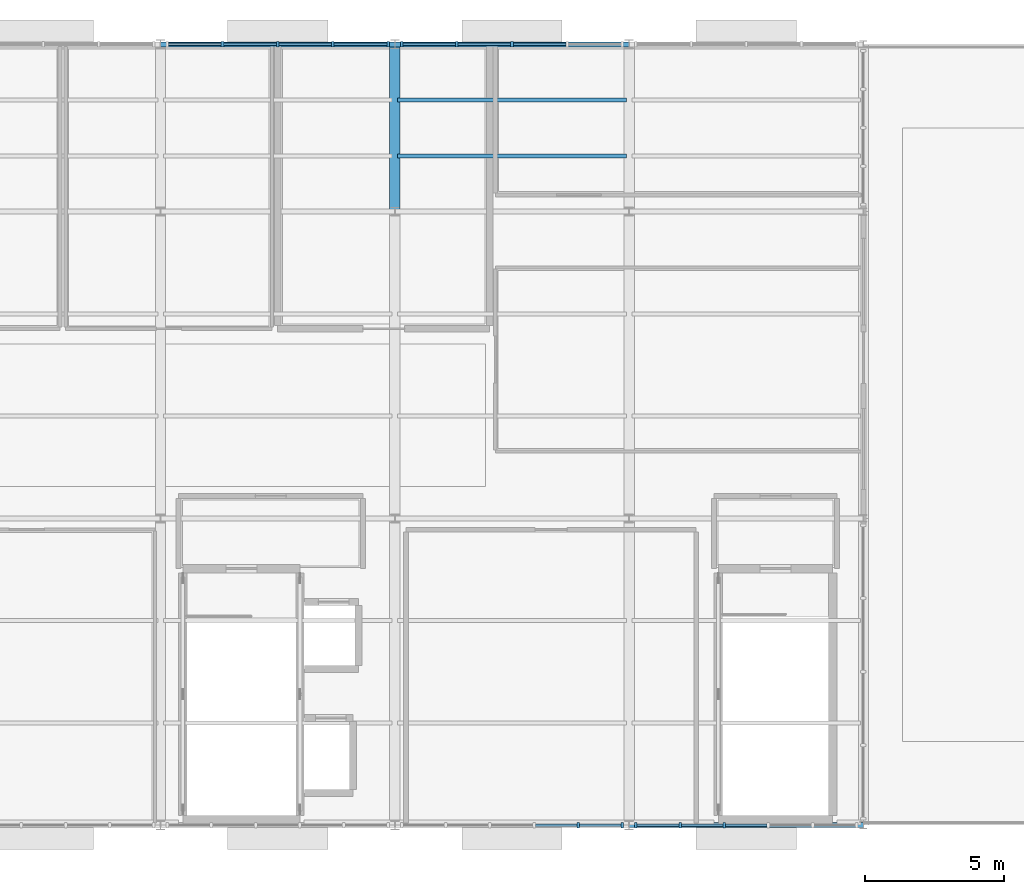
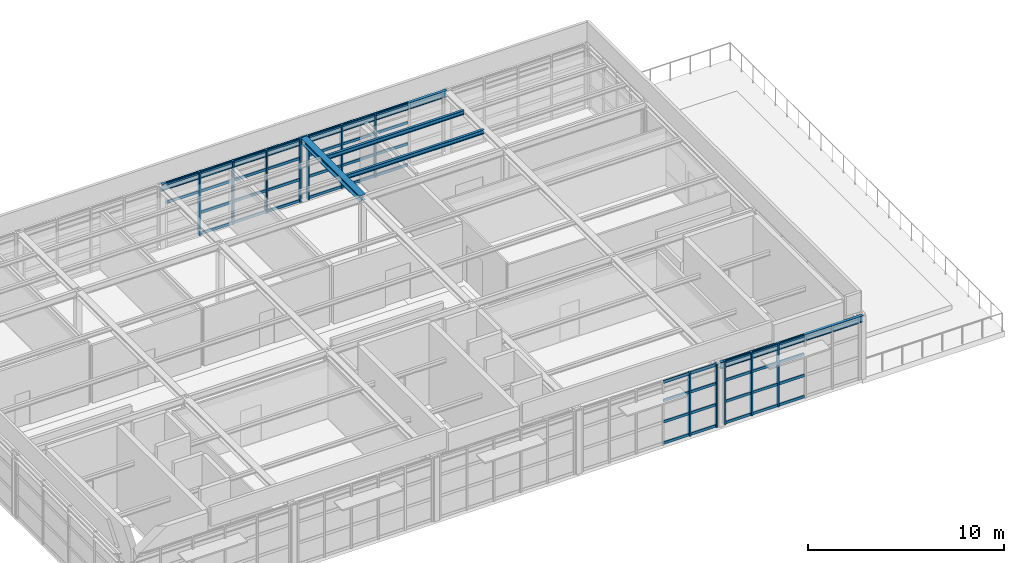
# One storey, part 8 of 18: 58 members, 6 beams, 4 elements without a shape of their own.
"""IFC4 building model written with IfcOpenShell, lengths in metres."""

from ifc_helpers import new_model, si_unit, direction, frame, origin, origin_2d, place, context, subcontext, project, spatial, rectangle, i_section, extrude, material, layer, layer_set, material_profile, profile_set, type_object, element, aggregate, save


model = new_model("IFC4")

# Units and contexts
model_context = context("Model", 3, precision=1e-05, world=origin(), true_north=direction((0.0, 1.0)))
body_context = subcontext(model_context, "Body", "Model", "MODEL_VIEW")
ifc_project = project(units=[si_unit("LENGTHUNIT", "METRE"), si_unit("AREAUNIT", "SQUARE_METRE"), si_unit("VOLUMEUNIT", "CUBIC_METRE"), si_unit("PLANEANGLEUNIT", "RADIAN"), si_unit("MASSUNIT", "GRAM", prefix="KILO")], contexts=[model_context])

# Site, building, storey
site_placement = place(None, origin())
site = spatial("IfcSite", under=ifc_project, at=site_placement, CompositionType="ELEMENT")
building_placement = place(site_placement, origin())
building = spatial("IfcBuilding", under=site, at=building_placement, Name="Sitalva Quay Ferry Terminal", CompositionType="ELEMENT")
storey_placement = place(building_placement, frame((0.0, 0.0, 18.60009765625)))
storey = spatial("IfcBuildingStorey", under=building, at=storey_placement, Name="L05", CompositionType="ELEMENT", Elevation=18.60009765625)

# Beams
ifc_material_1 = material(Name="Structural Steel S355JR", Category="steel")
ifc_material_profile_1 = material_profile(ifc_material_1, i_section(OverallWidth=0.368896484375, OverallDepth=0.35595703125, WebThickness=0.01123046875, FlangeThickness=0.01806640625, FilletRadius=0.014892578125, at=origin_2d()), Name="W360x134")
ifc_profile_set_1 = profile_set([ifc_material_profile_1], Name="Structural Steel S355JR")
beam_type_1 = type_object("IfcBeamType", Name="Beam_W360x134", PredefinedType="BEAM", material=ifc_profile_set_1)
beam_1_placement = place(storey_placement, frame((100.800048828125, 100.0, 3.781982421875), z_axis=(0.0, 1.0, 0.0), x_axis=(-1.0, 0.0, 0.0)))
element("IfcBeam", 1, at=beam_1_placement, inside=storey, type_object=beam_type_1, Name="L05 Primary Y girder 1431", PredefinedType="BEAM", context=body_context, shape_type="SweptSolid", body=[
    extrude(i_section(OverallWidth=0.368896484375, OverallDepth=0.35595703125, WebThickness=0.01123046875, FlangeThickness=0.01806640625, FilletRadius=0.014892578125, at=origin_2d()), origin(), (0.0, 0.0, 1.0), 6.0),
])
ifc_material_2 = material(Name="Structural Steel S355JR", Category="steel")
ifc_material_profile_2 = material_profile(ifc_material_2, i_section(OverallWidth=0.178955078125, OverallDepth=0.409912109375, WebThickness=0.0087890625, FlangeThickness=0.014404296875, FilletRadius=0.012939453125, at=origin_2d()), Name="W410x67")
ifc_profile_set_2 = profile_set([ifc_material_profile_2], Name="Structural Steel S355JR")
beam_type_2 = type_object("IfcBeamType", Name="Beam_W410x67", PredefinedType="BEAM", material=ifc_profile_set_2)
for number, where, z_axis, x_axis, name in (
    (2, (109.199951171875, 78.0, 3.7548828125), (1.0, 0.0, 0.0), (0.0, 1.0, 0.0), "L05 Primary X girder 1404"),
    (3, (92.39990234375, 106.0, 3.7548828125), (1.0, 0.0, 0.0), (0.0, 1.0, 0.0), "L05 Primary X girder 1417"),
):
    element("IfcBeam", number, at=place(storey_placement, frame(where, z_axis=z_axis, x_axis=x_axis)), inside=storey, type_object=beam_type_2, Name=name, PredefinedType="BEAM", context=body_context, shape_type="SweptSolid", body=[
        extrude(i_section(OverallWidth=0.178955078125, OverallDepth=0.409912109375, WebThickness=0.0087890625, FlangeThickness=0.014404296875, FilletRadius=0.012939453125, at=origin_2d()), origin(), (0.0, 0.0, 1.0), 8.400146484375),
    ])
beam_2_placement = place(storey_placement, frame((100.800048828125, 106.0, 3.7548828125), z_axis=(1.0, 0.0, 0.0), x_axis=(0.0, 1.0, 0.0)))
element("IfcBeam", 4, at=beam_2_placement, inside=storey, type_object=beam_type_2, Name="L05 Primary X girder 1418", PredefinedType="BEAM", context=body_context, shape_type="SweptSolid", body=[
    extrude(i_section(OverallWidth=0.178955078125, OverallDepth=0.409912109375, WebThickness=0.0087890625, FlangeThickness=0.014404296875, FilletRadius=0.012939453125, at=origin_2d()), origin(), (0.0, 0.0, 1.0), 8.39990234375),
])
ifc_material_3 = material(Name="Structural Steel S355JR", Category="steel")
ifc_material_profile_3 = material_profile(ifc_material_3, i_section(OverallWidth=0.14697265625, OverallDepth=0.261962890625, WebThickness=0.006591796875, FlangeThickness=0.01123046875, FilletRadius=0.010009765625, at=origin_2d()), Name="W250x39")
ifc_profile_set_3 = profile_set([ifc_material_profile_3], Name="Structural Steel S355JR")
beam_type_3 = type_object("IfcBeamType", Name="Joist_W250x39", PredefinedType="JOIST", material=ifc_profile_set_3)
for number, where, z_axis, x_axis, name in (
    (5, (100.89990234375, 102.0, 3.828857421875), (1.0, 0.0, 0.0), (0.0, 1.0, 0.0), "L05 Secondary joist 1461"),
    (6, (100.89990234375, 104.0, 3.828857421875), (1.0, 0.0, 0.0), (0.0, 1.0, 0.0), "L05 Secondary joist 1466"),
):
    element("IfcBeam", number, at=place(storey_placement, frame(where, z_axis=z_axis, x_axis=x_axis)), inside=storey, type_object=beam_type_3, Name=name, PredefinedType="JOIST", context=body_context, shape_type="SweptSolid", body=[
        extrude(i_section(OverallWidth=0.14697265625, OverallDepth=0.261962890625, WebThickness=0.006591796875, FlangeThickness=0.01123046875, FilletRadius=0.010009765625, at=origin_2d()), origin(), (0.0, 0.0, 1.0), 8.2001953125),
    ])

# Curtain wall, members
ifc_material_4 = material(Name="Anodised Aluminium & Low-E Glazing", Category="aluminium")
ifc_layer = layer(ifc_material_4, 0.159912109375)
ifc_layer_set = layer_set([ifc_layer], Name="Anodised Aluminium & Low-E Glazing")
curtain_wall_type = type_object("IfcCurtainWallType", Name="CW_VTS_Sloped", PredefinedType="USERDEFINED", material=ifc_layer_set)
curtain_wall_1_placement = place(storey_placement, origin())
curtain_wall_1 = element("IfcCurtainWall", 7, at=curtain_wall_1_placement, inside=storey, type_object=curtain_wall_type, Name="L05 VTS bridge north glazing (CW-L05-159)", ObjectType="CURTAIN_WALL", PredefinedType="USERDEFINED")
ifc_material_5 = material(Name="Anodised Aluminium 6063-T6", Category="aluminium")
ifc_material_profile_4 = material_profile(ifc_material_5, rectangle(XDim=0.090087890625, YDim=0.199951171875, at=origin_2d()), Name="ALU90x200")
ifc_profile_set_4 = profile_set([ifc_material_profile_4], Name="Anodised Aluminium 6063-T6")
member_type_1 = type_object("IfcMemberType", Name="Mullion_Alu_90x200", PredefinedType="MULLION", material=ifc_profile_set_4)
member_1_placement = place(storey_placement, frame((94.6201171875, 106.0, 0.0), z_axis=(0.0, 0.0, 1.0), x_axis=(1.0, 0.0, 0.0)))
member_1 = element("IfcMember", 8, at=member_1_placement, type_object=member_type_1, Name="CW-L05-159-M1", PredefinedType="MULLION", context=body_context, shape_type="SweptSolid", body=[
    extrude(rectangle(XDim=0.090087890625, YDim=0.199951171875, at=origin_2d()), origin(), (0.0, 0.0, 1.0), 3.9599609375),
])
member_2_placement = place(storey_placement, frame((96.60009765625, 106.0, 0.0), z_axis=(0.0, 0.0, 1.0), x_axis=(1.0, 0.0, 0.0)))
member_2 = element("IfcMember", 9, at=member_2_placement, type_object=member_type_1, Name="CW-L05-159-M2", PredefinedType="MULLION", context=body_context, shape_type="SweptSolid", body=[
    extrude(rectangle(XDim=0.090087890625, YDim=0.199951171875, at=origin_2d()), origin(), (0.0, 0.0, 1.0), 3.9599609375),
])
member_3_placement = place(storey_placement, frame((98.580078125, 106.0, 0.0), z_axis=(0.0, 0.0, 1.0), x_axis=(1.0, 0.0, 0.0)))
member_3 = element("IfcMember", 10, at=member_3_placement, type_object=member_type_1, Name="CW-L05-159-M3", PredefinedType="MULLION", context=body_context, shape_type="SweptSolid", body=[
    extrude(rectangle(XDim=0.090087890625, YDim=0.199951171875, at=origin_2d()), origin(), (0.0, 0.0, 1.0), 3.9599609375),
])
member_4_placement = place(storey_placement, frame((100.56005859375, 106.0, 0.0), z_axis=(0.0, 0.0, 1.0), x_axis=(1.0, 0.0, 0.0)))
member_4 = element("IfcMember", 11, at=member_4_placement, type_object=member_type_1, Name="CW-L05-159-M4", PredefinedType="MULLION", context=body_context, shape_type="SweptSolid", body=[
    extrude(rectangle(XDim=0.090087890625, YDim=0.199951171875, at=origin_2d()), origin(), (0.0, 0.0, 1.0), 3.9599609375),
])

curtain_wall_2_placement = place(storey_placement, origin())
curtain_wall_2 = element("IfcCurtainWall", 12, at=curtain_wall_2_placement, inside=storey, type_object=curtain_wall_type, Name="L05 VTS river-view panoramic south glazing (CW-L05-160)", ObjectType="CURTAIN_WALL", PredefinedType="USERDEFINED")
member_5_placement = place(storey_placement, frame((107.3759765625, 78.0, 0.0), z_axis=(0.0, 0.0, 1.0), x_axis=(1.0, 0.0, 0.0)))
member_5 = element("IfcMember", 13, at=member_5_placement, type_object=member_type_1, Name="CW-L05-160-M4", PredefinedType="MULLION", context=body_context, shape_type="SweptSolid", body=[
    extrude(rectangle(XDim=0.090087890625, YDim=0.199951171875, at=origin_2d()), origin(), (0.0, 0.0, 1.0), 3.9599609375),
])
member_6_placement = place(storey_placement, frame((108.9599609375, 78.0, 0.0), z_axis=(0.0, 0.0, 1.0), x_axis=(1.0, 0.0, 0.0)))
member_6 = element("IfcMember", 14, at=member_6_placement, type_object=member_type_1, Name="CW-L05-160-M5", PredefinedType="MULLION", context=body_context, shape_type="SweptSolid", body=[
    extrude(rectangle(XDim=0.090087890625, YDim=0.199951171875, at=origin_2d()), origin(), (0.0, 0.0, 1.0), 3.9599609375),
])

curtain_wall_3_placement = place(storey_placement, origin())
curtain_wall_3 = element("IfcCurtainWall", 15, at=curtain_wall_3_placement, inside=storey, type_object=curtain_wall_type, Name="L05 VTS bridge north glazing (CW-L05-161)", ObjectType="CURTAIN_WALL", PredefinedType="USERDEFINED")
member_7_placement = place(storey_placement, frame((101.0400390625, 106.0, 0.0), z_axis=(0.0, 0.0, 1.0), x_axis=(1.0, 0.0, 0.0)))
member_7 = element("IfcMember", 16, at=member_7_placement, type_object=member_type_1, Name="CW-L05-161-M0", PredefinedType="MULLION", context=body_context, shape_type="SweptSolid", body=[
    extrude(rectangle(XDim=0.090087890625, YDim=0.199951171875, at=origin_2d()), origin(), (0.0, 0.0, 1.0), 3.9599609375),
])
member_8_placement = place(storey_placement, frame((103.02001953125, 106.0, 0.0), z_axis=(0.0, 0.0, 1.0), x_axis=(1.0, 0.0, 0.0)))
member_8 = element("IfcMember", 17, at=member_8_placement, type_object=member_type_1, Name="CW-L05-161-M1", PredefinedType="MULLION", context=body_context, shape_type="SweptSolid", body=[
    extrude(rectangle(XDim=0.090087890625, YDim=0.199951171875, at=origin_2d()), origin(), (0.0, 0.0, 1.0), 3.9599609375),
])
member_9_placement = place(storey_placement, frame((105.0, 106.0, 0.0), z_axis=(0.0, 0.0, 1.0), x_axis=(1.0, 0.0, 0.0)))
member_9 = element("IfcMember", 18, at=member_9_placement, type_object=member_type_1, Name="CW-L05-161-M2", PredefinedType="MULLION", context=body_context, shape_type="SweptSolid", body=[
    extrude(rectangle(XDim=0.090087890625, YDim=0.199951171875, at=origin_2d()), origin(), (0.0, 0.0, 1.0), 3.9599609375),
])

curtain_wall_4_placement = place(storey_placement, origin())
curtain_wall_4 = element("IfcCurtainWall", 19, at=curtain_wall_4_placement, inside=storey, type_object=curtain_wall_type, Name="L05 VTS river-view panoramic south glazing (CW-L05-162)", ObjectType="CURTAIN_WALL", PredefinedType="USERDEFINED")
member_10_placement = place(storey_placement, frame((109.43994140625, 78.0, 0.0), z_axis=(0.0, 0.0, 1.0), x_axis=(1.0, 0.0, 0.0)))
member_10 = element("IfcMember", 20, at=member_10_placement, type_object=member_type_1, Name="CW-L05-162-M0", PredefinedType="MULLION", context=body_context, shape_type="SweptSolid", body=[
    extrude(rectangle(XDim=0.090087890625, YDim=0.199951171875, at=origin_2d()), origin(), (0.0, 0.0, 1.0), 3.9599609375),
])
member_11_placement = place(storey_placement, frame((111.02392578125, 78.0, 0.0), z_axis=(0.0, 0.0, 1.0), x_axis=(1.0, 0.0, 0.0)))
member_11 = element("IfcMember", 21, at=member_11_placement, type_object=member_type_1, Name="CW-L05-162-M1", PredefinedType="MULLION", context=body_context, shape_type="SweptSolid", body=[
    extrude(rectangle(XDim=0.090087890625, YDim=0.199951171875, at=origin_2d()), origin(), (0.0, 0.0, 1.0), 3.9599609375),
])
member_12_placement = place(storey_placement, frame((112.60791015625, 78.0, 0.0), z_axis=(0.0, 0.0, 1.0), x_axis=(1.0, 0.0, 0.0)))
member_12 = element("IfcMember", 22, at=member_12_placement, type_object=member_type_1, Name="CW-L05-162-M2", PredefinedType="MULLION", context=body_context, shape_type="SweptSolid", body=[
    extrude(rectangle(XDim=0.090087890625, YDim=0.199951171875, at=origin_2d()), origin(), (0.0, 0.0, 1.0), 3.9599609375),
])

# Member
ifc_material_6 = material(Name="Anodised Aluminium 6063-T6", Category="aluminium")
ifc_material_profile_5 = material_profile(ifc_material_6, rectangle(XDim=0.080078125, YDim=0.1650390625, at=origin_2d()), Name="ALU80x165")
ifc_profile_set_5 = profile_set([ifc_material_profile_5], Name="Anodised Aluminium 6063-T6")
member_type_2 = type_object("IfcMemberType", Name="Transom_Alu_80x165", PredefinedType="MULLION", material=ifc_profile_set_5)
member_13_placement = place(storey_placement, frame((92.68505859375, 106.0, 2.722412109375), z_axis=(1.0, 0.0, 0.0), x_axis=(0.0, 1.0, 0.0)))
member_13 = element("IfcMember", 23, at=member_13_placement, type_object=member_type_2, Name="CW-L05-159-T0-2", ObjectType="TRANSOM", PredefinedType="USERDEFINED", context=body_context, shape_type="SweptSolid", body=[
    extrude(rectangle(XDim=0.080078125, YDim=0.1650390625, at=origin_2d()), origin(), (0.0, 0.0, 1.0), 1.889892578125),
])

member_14_placement = place(storey_placement, frame((92.68505859375, 106.0, 3.87744140625), z_axis=(1.0, 0.0, 0.0), x_axis=(0.0, 1.0, 0.0)))
member_14 = element("IfcMember", 24, at=member_14_placement, type_object=member_type_2, Name="CW-L05-159-T0-3", ObjectType="TRANSOM", PredefinedType="USERDEFINED", context=body_context, shape_type="SweptSolid", body=[
    extrude(rectangle(XDim=0.080078125, YDim=0.1650390625, at=origin_2d()), origin(), (0.0, 0.0, 1.0), 1.889892578125),
])

member_15_placement = place(storey_placement, frame((94.6650390625, 106.0, 0.08251953125), z_axis=(1.0, 0.0, 0.0), x_axis=(0.0, 1.0, 0.0)))
member_15 = element("IfcMember", 25, at=member_15_placement, type_object=member_type_2, Name="CW-L05-159-T1-0", ObjectType="TRANSOM", PredefinedType="USERDEFINED", context=body_context, shape_type="SweptSolid", body=[
    extrude(rectangle(XDim=0.080078125, YDim=0.1650390625, at=origin_2d()), origin(), (0.0, 0.0, 1.0), 1.889892578125),
])

member_16_placement = place(storey_placement, frame((94.6650390625, 106.0, 1.40234375), z_axis=(1.0, 0.0, 0.0), x_axis=(0.0, 1.0, 0.0)))
member_16 = element("IfcMember", 26, at=member_16_placement, type_object=member_type_2, Name="CW-L05-159-T1-1", ObjectType="TRANSOM", PredefinedType="USERDEFINED", context=body_context, shape_type="SweptSolid", body=[
    extrude(rectangle(XDim=0.080078125, YDim=0.1650390625, at=origin_2d()), origin(), (0.0, 0.0, 1.0), 1.889892578125),
])

member_17_placement = place(storey_placement, frame((94.6650390625, 106.0, 2.722412109375), z_axis=(1.0, 0.0, 0.0), x_axis=(0.0, 1.0, 0.0)))
member_17 = element("IfcMember", 27, at=member_17_placement, type_object=member_type_2, Name="CW-L05-159-T1-2", ObjectType="TRANSOM", PredefinedType="USERDEFINED", context=body_context, shape_type="SweptSolid", body=[
    extrude(rectangle(XDim=0.080078125, YDim=0.1650390625, at=origin_2d()), origin(), (0.0, 0.0, 1.0), 1.889892578125),
])

member_18_placement = place(storey_placement, frame((94.6650390625, 106.0, 3.87744140625), z_axis=(1.0, 0.0, 0.0), x_axis=(0.0, 1.0, 0.0)))
member_18 = element("IfcMember", 28, at=member_18_placement, type_object=member_type_2, Name="CW-L05-159-T1-3", ObjectType="TRANSOM", PredefinedType="USERDEFINED", context=body_context, shape_type="SweptSolid", body=[
    extrude(rectangle(XDim=0.080078125, YDim=0.1650390625, at=origin_2d()), origin(), (0.0, 0.0, 1.0), 1.889892578125),
])

member_19_placement = place(storey_placement, frame((96.64501953125, 106.0, 0.08251953125), z_axis=(1.0, 0.0, 0.0), x_axis=(0.0, 1.0, 0.0)))
member_19 = element("IfcMember", 29, at=member_19_placement, type_object=member_type_2, Name="CW-L05-159-T2-0", ObjectType="TRANSOM", PredefinedType="USERDEFINED", context=body_context, shape_type="SweptSolid", body=[
    extrude(rectangle(XDim=0.080078125, YDim=0.1650390625, at=origin_2d()), origin(), (0.0, 0.0, 1.0), 1.889892578125),
])

member_20_placement = place(storey_placement, frame((96.64501953125, 106.0, 1.40234375), z_axis=(1.0, 0.0, 0.0), x_axis=(0.0, 1.0, 0.0)))
member_20 = element("IfcMember", 30, at=member_20_placement, type_object=member_type_2, Name="CW-L05-159-T2-1", ObjectType="TRANSOM", PredefinedType="USERDEFINED", context=body_context, shape_type="SweptSolid", body=[
    extrude(rectangle(XDim=0.080078125, YDim=0.1650390625, at=origin_2d()), origin(), (0.0, 0.0, 1.0), 1.889892578125),
])

member_21_placement = place(storey_placement, frame((96.64501953125, 106.0, 2.722412109375), z_axis=(1.0, 0.0, 0.0), x_axis=(0.0, 1.0, 0.0)))
member_21 = element("IfcMember", 31, at=member_21_placement, type_object=member_type_2, Name="CW-L05-159-T2-2", ObjectType="TRANSOM", PredefinedType="USERDEFINED", context=body_context, shape_type="SweptSolid", body=[
    extrude(rectangle(XDim=0.080078125, YDim=0.1650390625, at=origin_2d()), origin(), (0.0, 0.0, 1.0), 1.889892578125),
])

member_22_placement = place(storey_placement, frame((96.64501953125, 106.0, 3.87744140625), z_axis=(1.0, 0.0, 0.0), x_axis=(0.0, 1.0, 0.0)))
member_22 = element("IfcMember", 32, at=member_22_placement, type_object=member_type_2, Name="CW-L05-159-T2-3", ObjectType="TRANSOM", PredefinedType="USERDEFINED", context=body_context, shape_type="SweptSolid", body=[
    extrude(rectangle(XDim=0.080078125, YDim=0.1650390625, at=origin_2d()), origin(), (0.0, 0.0, 1.0), 1.889892578125),
])

member_23_placement = place(storey_placement, frame((98.625, 106.0, 0.08251953125), z_axis=(1.0, 0.0, 0.0), x_axis=(0.0, 1.0, 0.0)))
member_23 = element("IfcMember", 33, at=member_23_placement, type_object=member_type_2, Name="CW-L05-159-T3-0", ObjectType="TRANSOM", PredefinedType="USERDEFINED", context=body_context, shape_type="SweptSolid", body=[
    extrude(rectangle(XDim=0.080078125, YDim=0.1650390625, at=origin_2d()), origin(), (0.0, 0.0, 1.0), 1.889892578125),
])

member_24_placement = place(storey_placement, frame((98.625, 106.0, 1.40234375), z_axis=(1.0, 0.0, 0.0), x_axis=(0.0, 1.0, 0.0)))
member_24 = element("IfcMember", 34, at=member_24_placement, type_object=member_type_2, Name="CW-L05-159-T3-1", ObjectType="TRANSOM", PredefinedType="USERDEFINED", context=body_context, shape_type="SweptSolid", body=[
    extrude(rectangle(XDim=0.080078125, YDim=0.1650390625, at=origin_2d()), origin(), (0.0, 0.0, 1.0), 1.889892578125),
])

member_25_placement = place(storey_placement, frame((98.625, 106.0, 2.722412109375), z_axis=(1.0, 0.0, 0.0), x_axis=(0.0, 1.0, 0.0)))
member_25 = element("IfcMember", 35, at=member_25_placement, type_object=member_type_2, Name="CW-L05-159-T3-2", ObjectType="TRANSOM", PredefinedType="USERDEFINED", context=body_context, shape_type="SweptSolid", body=[
    extrude(rectangle(XDim=0.080078125, YDim=0.1650390625, at=origin_2d()), origin(), (0.0, 0.0, 1.0), 1.889892578125),
])

member_26_placement = place(storey_placement, frame((98.625, 106.0, 3.87744140625), z_axis=(1.0, 0.0, 0.0), x_axis=(0.0, 1.0, 0.0)))
member_26 = element("IfcMember", 36, at=member_26_placement, type_object=member_type_2, Name="CW-L05-159-T3-3", ObjectType="TRANSOM", PredefinedType="USERDEFINED", context=body_context, shape_type="SweptSolid", body=[
    extrude(rectangle(XDim=0.080078125, YDim=0.1650390625, at=origin_2d()), origin(), (0.0, 0.0, 1.0), 1.889892578125),
])

aggregate(curtain_wall_1, [member_1, member_2, member_3, member_4, member_13, member_14, member_15, member_16, member_17, member_18, member_19, member_20, member_21, member_22, member_23, member_24, member_25, member_26])

member_27_placement = place(storey_placement, frame((105.8369140625, 78.0, 0.08251953125), z_axis=(1.0, 0.0, 0.0), x_axis=(0.0, 1.0, 0.0)))
member_27 = element("IfcMember", 37, at=member_27_placement, type_object=member_type_2, Name="CW-L05-160-T3-0", ObjectType="TRANSOM", PredefinedType="USERDEFINED", context=body_context, shape_type="SweptSolid", body=[
    extrude(rectangle(XDim=0.080078125, YDim=0.1650390625, at=origin_2d()), origin(), (0.0, 0.0, 1.0), 1.494140625),
])

member_28_placement = place(storey_placement, frame((105.8369140625, 78.0, 1.40234375), z_axis=(1.0, 0.0, 0.0), x_axis=(0.0, 1.0, 0.0)))
member_28 = element("IfcMember", 38, at=member_28_placement, type_object=member_type_2, Name="CW-L05-160-T3-1", ObjectType="TRANSOM", PredefinedType="USERDEFINED", context=body_context, shape_type="SweptSolid", body=[
    extrude(rectangle(XDim=0.080078125, YDim=0.1650390625, at=origin_2d()), origin(), (0.0, 0.0, 1.0), 1.494140625),
])

member_29_placement = place(storey_placement, frame((105.8369140625, 78.0, 2.722412109375), z_axis=(1.0, 0.0, 0.0), x_axis=(0.0, 1.0, 0.0)))
member_29 = element("IfcMember", 39, at=member_29_placement, type_object=member_type_2, Name="CW-L05-160-T3-2", ObjectType="TRANSOM", PredefinedType="USERDEFINED", context=body_context, shape_type="SweptSolid", body=[
    extrude(rectangle(XDim=0.080078125, YDim=0.1650390625, at=origin_2d()), origin(), (0.0, 0.0, 1.0), 1.494140625),
])

member_30_placement = place(storey_placement, frame((105.8369140625, 78.0, 3.87744140625), z_axis=(1.0, 0.0, 0.0), x_axis=(0.0, 1.0, 0.0)))
member_30 = element("IfcMember", 40, at=member_30_placement, type_object=member_type_2, Name="CW-L05-160-T3-3", ObjectType="TRANSOM", PredefinedType="USERDEFINED", context=body_context, shape_type="SweptSolid", body=[
    extrude(rectangle(XDim=0.080078125, YDim=0.1650390625, at=origin_2d()), origin(), (0.0, 0.0, 1.0), 1.494140625),
])

member_31_placement = place(storey_placement, frame((107.4208984375, 78.0, 0.08251953125), z_axis=(1.0, 0.0, 0.0), x_axis=(0.0, 1.0, 0.0)))
member_31 = element("IfcMember", 41, at=member_31_placement, type_object=member_type_2, Name="CW-L05-160-T4-0", ObjectType="TRANSOM", PredefinedType="USERDEFINED", context=body_context, shape_type="SweptSolid", body=[
    extrude(rectangle(XDim=0.080078125, YDim=0.1650390625, at=origin_2d()), origin(), (0.0, 0.0, 1.0), 1.494140625),
])

member_32_placement = place(storey_placement, frame((107.4208984375, 78.0, 1.40234375), z_axis=(1.0, 0.0, 0.0), x_axis=(0.0, 1.0, 0.0)))
member_32 = element("IfcMember", 42, at=member_32_placement, type_object=member_type_2, Name="CW-L05-160-T4-1", ObjectType="TRANSOM", PredefinedType="USERDEFINED", context=body_context, shape_type="SweptSolid", body=[
    extrude(rectangle(XDim=0.080078125, YDim=0.1650390625, at=origin_2d()), origin(), (0.0, 0.0, 1.0), 1.494140625),
])

member_33_placement = place(storey_placement, frame((107.4208984375, 78.0, 2.722412109375), z_axis=(1.0, 0.0, 0.0), x_axis=(0.0, 1.0, 0.0)))
member_33 = element("IfcMember", 43, at=member_33_placement, type_object=member_type_2, Name="CW-L05-160-T4-2", ObjectType="TRANSOM", PredefinedType="USERDEFINED", context=body_context, shape_type="SweptSolid", body=[
    extrude(rectangle(XDim=0.080078125, YDim=0.1650390625, at=origin_2d()), origin(), (0.0, 0.0, 1.0), 1.494140625),
])

member_34_placement = place(storey_placement, frame((107.4208984375, 78.0, 3.87744140625), z_axis=(1.0, 0.0, 0.0), x_axis=(0.0, 1.0, 0.0)))
member_34 = element("IfcMember", 44, at=member_34_placement, type_object=member_type_2, Name="CW-L05-160-T4-3", ObjectType="TRANSOM", PredefinedType="USERDEFINED", context=body_context, shape_type="SweptSolid", body=[
    extrude(rectangle(XDim=0.080078125, YDim=0.1650390625, at=origin_2d()), origin(), (0.0, 0.0, 1.0), 1.494140625),
])

aggregate(curtain_wall_2, [member_5, member_6, member_27, member_28, member_29, member_30, member_31, member_32, member_33, member_34])

member_35_placement = place(storey_placement, frame((101.0849609375, 106.0, 0.08251953125), z_axis=(1.0, 0.0, 0.0), x_axis=(0.0, 1.0, 0.0)))
member_35 = element("IfcMember", 45, at=member_35_placement, type_object=member_type_2, Name="CW-L05-161-T0-0", ObjectType="TRANSOM", PredefinedType="USERDEFINED", context=body_context, shape_type="SweptSolid", body=[
    extrude(rectangle(XDim=0.080078125, YDim=0.1650390625, at=origin_2d()), origin(), (0.0, 0.0, 1.0), 1.89013671875),
])

member_36_placement = place(storey_placement, frame((101.0849609375, 106.0, 1.40234375), z_axis=(1.0, 0.0, 0.0), x_axis=(0.0, 1.0, 0.0)))
member_36 = element("IfcMember", 46, at=member_36_placement, type_object=member_type_2, Name="CW-L05-161-T0-1", ObjectType="TRANSOM", PredefinedType="USERDEFINED", context=body_context, shape_type="SweptSolid", body=[
    extrude(rectangle(XDim=0.080078125, YDim=0.1650390625, at=origin_2d()), origin(), (0.0, 0.0, 1.0), 1.89013671875),
])

member_37_placement = place(storey_placement, frame((101.0849609375, 106.0, 2.722412109375), z_axis=(1.0, 0.0, 0.0), x_axis=(0.0, 1.0, 0.0)))
member_37 = element("IfcMember", 47, at=member_37_placement, type_object=member_type_2, Name="CW-L05-161-T0-2", ObjectType="TRANSOM", PredefinedType="USERDEFINED", context=body_context, shape_type="SweptSolid", body=[
    extrude(rectangle(XDim=0.080078125, YDim=0.1650390625, at=origin_2d()), origin(), (0.0, 0.0, 1.0), 1.89013671875),
])

member_38_placement = place(storey_placement, frame((101.0849609375, 106.0, 3.87744140625), z_axis=(1.0, 0.0, 0.0), x_axis=(0.0, 1.0, 0.0)))
member_38 = element("IfcMember", 48, at=member_38_placement, type_object=member_type_2, Name="CW-L05-161-T0-3", ObjectType="TRANSOM", PredefinedType="USERDEFINED", context=body_context, shape_type="SweptSolid", body=[
    extrude(rectangle(XDim=0.080078125, YDim=0.1650390625, at=origin_2d()), origin(), (0.0, 0.0, 1.0), 1.89013671875),
])

member_39_placement = place(storey_placement, frame((103.06494140625, 106.0, 0.08251953125), z_axis=(1.0, 0.0, 0.0), x_axis=(0.0, 1.0, 0.0)))
member_39 = element("IfcMember", 49, at=member_39_placement, type_object=member_type_2, Name="CW-L05-161-T1-0", ObjectType="TRANSOM", PredefinedType="USERDEFINED", context=body_context, shape_type="SweptSolid", body=[
    extrude(rectangle(XDim=0.080078125, YDim=0.1650390625, at=origin_2d()), origin(), (0.0, 0.0, 1.0), 1.89013671875),
])

member_40_placement = place(storey_placement, frame((103.06494140625, 106.0, 1.40234375), z_axis=(1.0, 0.0, 0.0), x_axis=(0.0, 1.0, 0.0)))
member_40 = element("IfcMember", 50, at=member_40_placement, type_object=member_type_2, Name="CW-L05-161-T1-1", ObjectType="TRANSOM", PredefinedType="USERDEFINED", context=body_context, shape_type="SweptSolid", body=[
    extrude(rectangle(XDim=0.080078125, YDim=0.1650390625, at=origin_2d()), origin(), (0.0, 0.0, 1.0), 1.89013671875),
])

member_41_placement = place(storey_placement, frame((103.06494140625, 106.0, 2.722412109375), z_axis=(1.0, 0.0, 0.0), x_axis=(0.0, 1.0, 0.0)))
member_41 = element("IfcMember", 51, at=member_41_placement, type_object=member_type_2, Name="CW-L05-161-T1-2", ObjectType="TRANSOM", PredefinedType="USERDEFINED", context=body_context, shape_type="SweptSolid", body=[
    extrude(rectangle(XDim=0.080078125, YDim=0.1650390625, at=origin_2d()), origin(), (0.0, 0.0, 1.0), 1.89013671875),
])

member_42_placement = place(storey_placement, frame((103.06494140625, 106.0, 3.87744140625), z_axis=(1.0, 0.0, 0.0), x_axis=(0.0, 1.0, 0.0)))
member_42 = element("IfcMember", 52, at=member_42_placement, type_object=member_type_2, Name="CW-L05-161-T1-3", ObjectType="TRANSOM", PredefinedType="USERDEFINED", context=body_context, shape_type="SweptSolid", body=[
    extrude(rectangle(XDim=0.080078125, YDim=0.1650390625, at=origin_2d()), origin(), (0.0, 0.0, 1.0), 1.89013671875),
])

member_43_placement = place(storey_placement, frame((105.044921875, 106.0, 0.08251953125), z_axis=(1.0, 0.0, 0.0), x_axis=(0.0, 1.0, 0.0)))
member_43 = element("IfcMember", 53, at=member_43_placement, type_object=member_type_2, Name="CW-L05-161-T2-0", ObjectType="TRANSOM", PredefinedType="USERDEFINED", context=body_context, shape_type="SweptSolid", body=[
    extrude(rectangle(XDim=0.080078125, YDim=0.1650390625, at=origin_2d()), origin(), (0.0, 0.0, 1.0), 1.89013671875),
])

member_44_placement = place(storey_placement, frame((105.044921875, 106.0, 1.40234375), z_axis=(1.0, 0.0, 0.0), x_axis=(0.0, 1.0, 0.0)))
member_44 = element("IfcMember", 54, at=member_44_placement, type_object=member_type_2, Name="CW-L05-161-T2-1", ObjectType="TRANSOM", PredefinedType="USERDEFINED", context=body_context, shape_type="SweptSolid", body=[
    extrude(rectangle(XDim=0.080078125, YDim=0.1650390625, at=origin_2d()), origin(), (0.0, 0.0, 1.0), 1.89013671875),
])

member_45_placement = place(storey_placement, frame((105.044921875, 106.0, 2.722412109375), z_axis=(1.0, 0.0, 0.0), x_axis=(0.0, 1.0, 0.0)))
member_45 = element("IfcMember", 55, at=member_45_placement, type_object=member_type_2, Name="CW-L05-161-T2-2", ObjectType="TRANSOM", PredefinedType="USERDEFINED", context=body_context, shape_type="SweptSolid", body=[
    extrude(rectangle(XDim=0.080078125, YDim=0.1650390625, at=origin_2d()), origin(), (0.0, 0.0, 1.0), 1.89013671875),
])

member_46_placement = place(storey_placement, frame((105.044921875, 106.0, 3.87744140625), z_axis=(1.0, 0.0, 0.0), x_axis=(0.0, 1.0, 0.0)))
member_46 = element("IfcMember", 56, at=member_46_placement, type_object=member_type_2, Name="CW-L05-161-T2-3", ObjectType="TRANSOM", PredefinedType="USERDEFINED", context=body_context, shape_type="SweptSolid", body=[
    extrude(rectangle(XDim=0.080078125, YDim=0.1650390625, at=origin_2d()), origin(), (0.0, 0.0, 1.0), 1.89013671875),
])

aggregate(curtain_wall_3, [member_7, member_8, member_9, member_35, member_36, member_37, member_38, member_39, member_40, member_41, member_42, member_43, member_44, member_45, member_46])

member_47_placement = place(storey_placement, frame((109.485107421875, 78.0, 0.08251953125), z_axis=(1.0, 0.0, 0.0), x_axis=(0.0, 1.0, 0.0)))
member_47 = element("IfcMember", 57, at=member_47_placement, type_object=member_type_2, Name="CW-L05-162-T0-0", ObjectType="TRANSOM", PredefinedType="USERDEFINED", context=body_context, shape_type="SweptSolid", body=[
    extrude(rectangle(XDim=0.080078125, YDim=0.1650390625, at=origin_2d()), origin(), (0.0, 0.0, 1.0), 1.493896484375),
])

member_48_placement = place(storey_placement, frame((109.485107421875, 78.0, 1.40234375), z_axis=(1.0, 0.0, 0.0), x_axis=(0.0, 1.0, 0.0)))
member_48 = element("IfcMember", 58, at=member_48_placement, type_object=member_type_2, Name="CW-L05-162-T0-1", ObjectType="TRANSOM", PredefinedType="USERDEFINED", context=body_context, shape_type="SweptSolid", body=[
    extrude(rectangle(XDim=0.080078125, YDim=0.1650390625, at=origin_2d()), origin(), (0.0, 0.0, 1.0), 1.493896484375),
])

member_49_placement = place(storey_placement, frame((109.485107421875, 78.0, 2.722412109375), z_axis=(1.0, 0.0, 0.0), x_axis=(0.0, 1.0, 0.0)))
member_49 = element("IfcMember", 59, at=member_49_placement, type_object=member_type_2, Name="CW-L05-162-T0-2", ObjectType="TRANSOM", PredefinedType="USERDEFINED", context=body_context, shape_type="SweptSolid", body=[
    extrude(rectangle(XDim=0.080078125, YDim=0.1650390625, at=origin_2d()), origin(), (0.0, 0.0, 1.0), 1.493896484375),
])

member_50_placement = place(storey_placement, frame((109.485107421875, 78.0, 3.87744140625), z_axis=(1.0, 0.0, 0.0), x_axis=(0.0, 1.0, 0.0)))
member_50 = element("IfcMember", 60, at=member_50_placement, type_object=member_type_2, Name="CW-L05-162-T0-3", ObjectType="TRANSOM", PredefinedType="USERDEFINED", context=body_context, shape_type="SweptSolid", body=[
    extrude(rectangle(XDim=0.080078125, YDim=0.1650390625, at=origin_2d()), origin(), (0.0, 0.0, 1.0), 1.493896484375),
])

member_51_placement = place(storey_placement, frame((111.069091796875, 78.0, 0.08251953125), z_axis=(1.0, 0.0, 0.0), x_axis=(0.0, 1.0, 0.0)))
member_51 = element("IfcMember", 61, at=member_51_placement, type_object=member_type_2, Name="CW-L05-162-T1-0", ObjectType="TRANSOM", PredefinedType="USERDEFINED", context=body_context, shape_type="SweptSolid", body=[
    extrude(rectangle(XDim=0.080078125, YDim=0.1650390625, at=origin_2d()), origin(), (0.0, 0.0, 1.0), 1.493896484375),
])

member_52_placement = place(storey_placement, frame((111.069091796875, 78.0, 1.40234375), z_axis=(1.0, 0.0, 0.0), x_axis=(0.0, 1.0, 0.0)))
member_52 = element("IfcMember", 62, at=member_52_placement, type_object=member_type_2, Name="CW-L05-162-T1-1", ObjectType="TRANSOM", PredefinedType="USERDEFINED", context=body_context, shape_type="SweptSolid", body=[
    extrude(rectangle(XDim=0.080078125, YDim=0.1650390625, at=origin_2d()), origin(), (0.0, 0.0, 1.0), 1.493896484375),
])

member_53_placement = place(storey_placement, frame((111.069091796875, 78.0, 2.722412109375), z_axis=(1.0, 0.0, 0.0), x_axis=(0.0, 1.0, 0.0)))
member_53 = element("IfcMember", 63, at=member_53_placement, type_object=member_type_2, Name="CW-L05-162-T1-2", ObjectType="TRANSOM", PredefinedType="USERDEFINED", context=body_context, shape_type="SweptSolid", body=[
    extrude(rectangle(XDim=0.080078125, YDim=0.1650390625, at=origin_2d()), origin(), (0.0, 0.0, 1.0), 1.493896484375),
])

member_54_placement = place(storey_placement, frame((111.069091796875, 78.0, 3.87744140625), z_axis=(1.0, 0.0, 0.0), x_axis=(0.0, 1.0, 0.0)))
member_54 = element("IfcMember", 64, at=member_54_placement, type_object=member_type_2, Name="CW-L05-162-T1-3", ObjectType="TRANSOM", PredefinedType="USERDEFINED", context=body_context, shape_type="SweptSolid", body=[
    extrude(rectangle(XDim=0.080078125, YDim=0.1650390625, at=origin_2d()), origin(), (0.0, 0.0, 1.0), 1.493896484375),
])

member_55_placement = place(storey_placement, frame((112.653076171875, 78.0, 0.08251953125), z_axis=(1.0, 0.0, 0.0), x_axis=(0.0, 1.0, 0.0)))
member_55 = element("IfcMember", 65, at=member_55_placement, type_object=member_type_2, Name="CW-L05-162-T2-0", ObjectType="TRANSOM", PredefinedType="USERDEFINED", context=body_context, shape_type="SweptSolid", body=[
    extrude(rectangle(XDim=0.080078125, YDim=0.1650390625, at=origin_2d()), origin(), (0.0, 0.0, 1.0), 1.493896484375),
])

member_56_placement = place(storey_placement, frame((112.653076171875, 78.0, 1.40234375), z_axis=(1.0, 0.0, 0.0), x_axis=(0.0, 1.0, 0.0)))
member_56 = element("IfcMember", 66, at=member_56_placement, type_object=member_type_2, Name="CW-L05-162-T2-1", ObjectType="TRANSOM", PredefinedType="USERDEFINED", context=body_context, shape_type="SweptSolid", body=[
    extrude(rectangle(XDim=0.080078125, YDim=0.1650390625, at=origin_2d()), origin(), (0.0, 0.0, 1.0), 1.493896484375),
])

member_57_placement = place(storey_placement, frame((112.653076171875, 78.0, 2.722412109375), z_axis=(1.0, 0.0, 0.0), x_axis=(0.0, 1.0, 0.0)))
member_57 = element("IfcMember", 67, at=member_57_placement, type_object=member_type_2, Name="CW-L05-162-T2-2", ObjectType="TRANSOM", PredefinedType="USERDEFINED", context=body_context, shape_type="SweptSolid", body=[
    extrude(rectangle(XDim=0.080078125, YDim=0.1650390625, at=origin_2d()), origin(), (0.0, 0.0, 1.0), 1.493896484375),
])

member_58_placement = place(storey_placement, frame((112.653076171875, 78.0, 3.87744140625), z_axis=(1.0, 0.0, 0.0), x_axis=(0.0, 1.0, 0.0)))
member_58 = element("IfcMember", 68, at=member_58_placement, type_object=member_type_2, Name="CW-L05-162-T2-3", ObjectType="TRANSOM", PredefinedType="USERDEFINED", context=body_context, shape_type="SweptSolid", body=[
    extrude(rectangle(XDim=0.080078125, YDim=0.1650390625, at=origin_2d()), origin(), (0.0, 0.0, 1.0), 1.493896484375),
])

aggregate(curtain_wall_4, [member_10, member_11, member_12, member_47, member_48, member_49, member_50, member_51, member_52, member_53, member_54, member_55, member_56, member_57, member_58])

save(model, "model.ifc")
